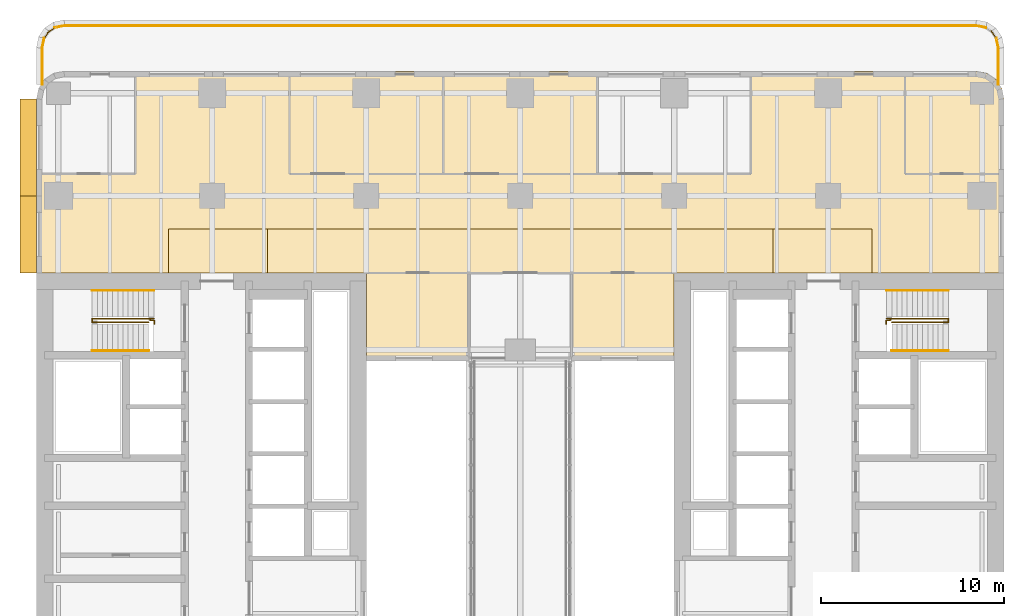
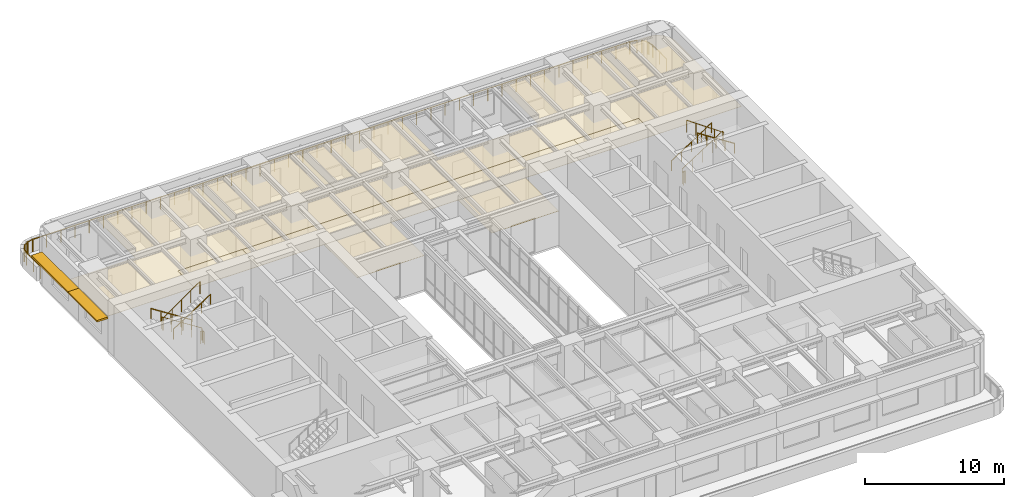
# One storey, part 16 of 17: 18 railings, 9 coverings, 2 shading devices.
"""IFC4 building model written with IfcOpenShell, lengths in metres."""

from ifc_helpers import new_model, si_unit, direction, frame, origin, origin_2d, place, context, subcontext, project, spatial, polyline, rectangle, circle, outline, extrude, material, layer, layer_set, type_object, element, save


model = new_model("IFC4")

# Units and contexts
model_context = context("Model", 3, precision=1e-05, world=origin(), true_north=direction((0.0, 1.0)))
body_context = subcontext(model_context, "Body", "Model", "MODEL_VIEW")
ifc_project = project(units=[si_unit("LENGTHUNIT", "METRE"), si_unit("AREAUNIT", "SQUARE_METRE"), si_unit("VOLUMEUNIT", "CUBIC_METRE"), si_unit("PLANEANGLEUNIT", "RADIAN"), si_unit("MASSUNIT", "GRAM", prefix="KILO")], contexts=[model_context])

# Site, building, storey
site_placement = place(None, origin())
site = spatial("IfcSite", under=ifc_project, at=site_placement, CompositionType="ELEMENT")
building_placement = place(site_placement, origin())
building = spatial("IfcBuilding", under=site, at=building_placement, Name="Claustro Exchange Tower", CompositionType="ELEMENT")
storey_placement = place(building_placement, frame((0.0, 0.0, 96.300048828125)))
storey = spatial("IfcBuildingStorey", under=building, at=storey_placement, Name="L21", CompositionType="ELEMENT", Elevation=96.300048828125)

# Coverings
ifc_material_1 = material(Name="Perforated metal ceiling tiles", Category="steel")
ifc_layer_1 = layer(ifc_material_1, 0.030029296875)
ifc_layer_set_1 = layer_set([ifc_layer_1], Name="Perforated metal ceiling tiles")
covering_type_1 = type_object("IfcCoveringType", Name="CL1 suspended metal ceiling", PredefinedType="CEILING", material=ifc_layer_set_1)
covering_1_placement = place(storey_placement, frame((0.0, 0.0, 3.0)))
element("IfcCovering", 1, at=covering_1_placement, inside=storey, type_object=covering_type_1, Name="Ceiling CL1 L21-20", PredefinedType="CEILING", context=body_context, shape_type="SweptSolid", body=[
    extrude(outline(polyline([(6.0, 37.800048828125), (11.39990234375, 37.800048828125), (11.39990234375, 40.199951171875), (6.0, 40.199951171875), (6.0, 37.800048828125)])), origin(), (0.0, 0.0, 1.0), 0.030029296875),
])
covering_2_placement = place(storey_placement, frame((0.0, 0.0, 3.0)))
element("IfcCovering", 2, at=covering_2_placement, inside=storey, type_object=covering_type_1, Name="Ceiling CL1 L21-21", PredefinedType="CEILING", context=body_context, shape_type="SweptSolid", body=[
    extrude(outline(polyline([(11.39990234375, 37.800048828125), (16.800048828125, 37.800048828125), (33.60009765625, 37.800048828125), (39.0, 37.800048828125), (39.0, 40.199951171875), (11.39990234375, 40.199951171875), (11.39990234375, 37.800048828125)])), origin(), (0.0, 0.0, 1.0), 0.030029296875),
])
covering_3_placement = place(storey_placement, frame((0.0, 0.0, 3.0)))
element("IfcCovering", 3, at=covering_3_placement, inside=storey, type_object=covering_type_1, Name="Ceiling CL1 L21-22", PredefinedType="CEILING", context=body_context, shape_type="SweptSolid", body=[
    extrude(outline(polyline([(39.0, 37.800048828125), (44.39990234375, 37.800048828125), (44.39990234375, 40.199951171875), (39.0, 40.199951171875), (39.0, 37.800048828125)])), origin(), (0.0, 0.0, 1.0), 0.030029296875),
])
ifc_material_2 = material(Name="Gypsum board ceiling", Category="gypsum board")
ifc_layer_2 = layer(ifc_material_2, 0.02490234375)
ifc_layer_set_2 = layer_set([ifc_layer_2], Name="Gypsum board ceiling")
covering_type_2 = type_object("IfcCoveringType", Name="CL2 plasterboard ceiling", PredefinedType="CEILING", material=ifc_layer_set_2)
covering_4_placement = place(storey_placement, frame((0.0, 0.0, 3.0)))
element("IfcCovering", 4, at=covering_4_placement, inside=storey, type_object=covering_type_2, Name="Ceiling CL2 L21-17", PredefinedType="CEILING", context=body_context, shape_type="SweptSolid", body=[
    extrude(outline(polyline([(16.800048828125, 33.0), (22.39990234375, 33.0), (22.39990234375, 37.800048828125), (16.800048828125, 37.800048828125), (16.800048828125, 33.0)])), origin(), (0.0, 0.0, 1.0), 0.02490234375),
])
covering_5_placement = place(storey_placement, frame((0.0, 0.0, 3.0)))
element("IfcCovering", 5, at=covering_5_placement, inside=storey, type_object=covering_type_2, Name="Ceiling CL2 L21-19", PredefinedType="CEILING", context=body_context, shape_type="SweptSolid", body=[
    extrude(outline(polyline([(33.60009765625, 33.0), (33.60009765625, 37.800048828125), (28.0, 37.800048828125), (28.0, 33.0), (33.60009765625, 33.0)])), origin(), (0.0, 0.0, 1.0), 0.02490234375),
])
covering_6_placement = place(storey_placement, frame((0.0, 0.0, 3.0)))
element("IfcCovering", 6, at=covering_6_placement, inside=storey, type_object=covering_type_2, Name="Ceiling CL2 L21-23", PredefinedType="CEILING", context=body_context, shape_type="SweptSolid", body=[
    extrude(outline(polyline([(-1.199951171875, 43.199951171875), (-1.199951171875, 37.800048828125), (6.0, 37.800048828125), (6.0, 40.199951171875), (11.39990234375, 40.199951171875), (39.0, 40.199951171875), (44.39990234375, 40.199951171875), (44.39990234375, 37.800048828125), (51.60009765625, 37.800048828125), (51.60009765625, 43.199951171875), (46.199951171875, 43.199951171875), (46.199951171875, 48.800048828125), (37.800048828125, 48.800048828125), (37.800048828125, 43.199951171875), (29.39990234375, 43.199951171875), (21.0, 43.199951171875), (12.60009765625, 43.199951171875), (12.60009765625, 48.800048828125), (4.199951171875, 48.800048828125), (4.199951171875, 43.199951171875), (-1.199951171875, 43.199951171875)])), origin(), (0.0, 0.0, 1.0), 0.02490234375),
])
covering_7_placement = place(storey_placement, frame((0.0, 0.0, 3.0)))
element("IfcCovering", 7, at=covering_7_placement, inside=storey, type_object=covering_type_2, Name="Ceiling CL2 L21-25", PredefinedType="CEILING", context=body_context, shape_type="SweptSolid", body=[
    extrude(outline(polyline([(21.0, 48.800048828125), (12.60009765625, 48.800048828125), (12.60009765625, 43.199951171875), (21.0, 43.199951171875), (21.0, 48.800048828125)])), origin(), (0.0, 0.0, 1.0), 0.02490234375),
])
covering_8_placement = place(storey_placement, frame((0.0, 0.0, 3.0)))
element("IfcCovering", 8, at=covering_8_placement, inside=storey, type_object=covering_type_2, Name="Ceiling CL2 L21-26", PredefinedType="CEILING", context=body_context, shape_type="SweptSolid", body=[
    extrude(outline(polyline([(29.39990234375, 48.800048828125), (21.0, 48.800048828125), (21.0, 43.199951171875), (29.39990234375, 43.199951171875), (29.39990234375, 48.800048828125)])), origin(), (0.0, 0.0, 1.0), 0.02490234375),
])
covering_9_placement = place(storey_placement, frame((0.0, 0.0, 3.0)))
element("IfcCovering", 9, at=covering_9_placement, inside=storey, type_object=covering_type_2, Name="Ceiling CL2 L21-28", PredefinedType="CEILING", context=body_context, shape_type="SweptSolid", body=[
    extrude(outline(polyline([(50.10009765625, 48.800048828125), (46.199951171875, 48.800048828125), (46.199951171875, 43.199951171875), (51.60009765625, 43.199951171875), (51.60009765625, 47.300048828125), (51.48583984375, 47.8740234375), (51.16064453125, 48.360595703125), (50.674072265625, 48.685791015625), (50.10009765625, 48.800048828125)])), origin(), (0.0, 0.0, 1.0), 0.02490234375),
])

# Railings
ifc_material_3 = material(Name="Steel balustrade, painted", Category="steel")
railing_type_1 = type_object("IfcRailingType", Name="GR2 1100 steel stair guard", PredefinedType="GUARDRAIL", material=ifc_material_3)
railing_1_placement = place(storey_placement, frame((5.199951171875, 35.300048828125, 0.179931640625)))
element("IfcRailing", 10, at=railing_1_placement, inside=storey, type_object=railing_type_1, Name="Stair well guard GR2 stair STWB L21", PredefinedType="GUARDRAIL", context=body_context, shape_type="SweptSolid", body=[
    extrude(circle(Radius=0.02392578125, at=origin_2d()), frame((0.0, 0.0, 1.076171875), z_axis=(-0.841178475377, 0.0, 0.540757591313), x_axis=(0.0, -1.0, 0.0)), (0.0, 0.0, 1.0), 3.994140625),
    extrude(circle(Radius=0.02392578125, at=origin_2d()), frame((-3.35986328125, 0.0, 3.23583984375), z_axis=(0.0, -1.0, 0.0), x_axis=(1.0, 0.0, 0.0)), (0.0, 0.0, 1.0), 0.199951171875),
    extrude(circle(Radius=0.02392578125, at=origin_2d()), frame((-3.35986328125, -0.199951171875, 3.23583984375), z_axis=(0.818698002193, 0.0, 0.574224330036), x_axis=(0.0, 1.0, 0.0)), (0.0, 0.0, 1.0), 3.761962890625),
    extrude(circle(Radius=0.02099609375, at=origin_2d()), origin(), (0.0, 0.0, 1.0), 1.052001953125),
    extrude(circle(Radius=0.02099609375, at=origin_2d()), frame((-0.83984375, 0.0, 0.5400390625)), (0.0, 0.0, 1.0), 1.052001953125),
    extrude(circle(Radius=0.02099609375, at=origin_2d()), frame((-1.679931640625, 0.0, 1.080078125)), (0.0, 0.0, 1.0), 1.052001953125),
    extrude(circle(Radius=0.02099609375, at=origin_2d()), frame((-2.52001953125, 0.0, 1.619873046875)), (0.0, 0.0, 1.0), 1.052001953125),
    extrude(circle(Radius=0.02099609375, at=origin_2d()), frame((-3.35986328125, 0.0, 2.159912109375)), (0.0, 0.0, 1.0), 1.052001953125),
    extrude(circle(Radius=0.02099609375, at=origin_2d()), frame((-3.35986328125, -0.199951171875, 2.159912109375)), (0.0, 0.0, 1.0), 1.052001953125),
    extrude(circle(Radius=0.02099609375, at=origin_2d()), frame((-2.58984375, -0.199951171875, 2.699951171875)), (0.0, 0.0, 1.0), 1.052001953125),
    extrude(circle(Radius=0.02099609375, at=origin_2d()), frame((-1.81982421875, -0.199951171875, 3.239990234375)), (0.0, 0.0, 1.0), 1.052001953125),
    extrude(circle(Radius=0.02099609375, at=origin_2d()), frame((-1.050048828125, -0.199951171875, 3.780029296875)), (0.0, 0.0, 1.0), 1.052001953125),
    extrude(circle(Radius=0.02099609375, at=origin_2d()), frame((-0.280029296875, -0.199951171875, 4.320068359375)), (0.0, 0.0, 1.0), 1.052001953125),
])
railing_2_placement = place(storey_placement, frame((5.0, 35.22998046875, 0.0)))
element("IfcRailing", 11, at=railing_2_placement, inside=storey, type_object=railing_type_1, Name="Stair guard GR2 STWB L21", PredefinedType="GUARDRAIL", context=body_context, shape_type="SweptSolid", body=[
    extrude(circle(Radius=0.02392578125, at=origin_2d()), frame((0.0, 0.0, 1.076171875), z_axis=(0.0, -1.0, 0.0), x_axis=(1.0, 0.0, 0.0)), (0.0, 0.0, 1.0), 0.030029296875),
    extrude(circle(Radius=0.02392578125, at=origin_2d()), frame((0.0, -0.030029296875, 1.076171875), z_axis=(1.0, 0.0, 0.0), x_axis=(0.0, 1.0, 0.0)), (0.0, 0.0, 1.0), 0.22509765625),
    extrude(circle(Radius=0.02392578125, at=origin_2d()), frame((0.22509765625, -0.030029296875, 1.076171875), z_axis=(0.0, -1.0, 0.0), x_axis=(1.0, 0.0, 0.0)), (0.0, 0.0, 1.0), 0.179931640625),
    extrude(circle(Radius=0.02099609375, at=origin_2d()), origin(), (0.0, 0.0, 1.0), 1.052001953125),
    extrude(circle(Radius=0.02099609375, at=origin_2d()), frame((0.0, -0.030029296875, 0.0)), (0.0, 0.0, 1.0), 1.052001953125),
    extrude(circle(Radius=0.02099609375, at=origin_2d()), frame((0.22509765625, -0.030029296875, 0.0)), (0.0, 0.0, 1.0), 1.052001953125),
    extrude(circle(Radius=0.02099609375, at=origin_2d()), frame((0.22509765625, -0.2099609375, 0.0)), (0.0, 0.0, 1.0), 1.052001953125),
])
railing_3_placement = place(storey_placement, frame((45.199951171875, 35.300048828125, 0.179931640625)))
element("IfcRailing", 12, at=railing_3_placement, inside=storey, type_object=railing_type_1, Name="Stair well guard GR2 stair STEB L21", PredefinedType="GUARDRAIL", context=body_context, shape_type="SweptSolid", body=[
    extrude(circle(Radius=0.02392578125, at=origin_2d()), frame((0.0, 0.0, 1.076171875), z_axis=(0.84119634759, 0.0, 0.540729789082), x_axis=(0.0, 1.0, 0.0)), (0.0, 0.0, 1.0), 3.994384765625),
    extrude(circle(Radius=0.02392578125, at=origin_2d()), frame((3.360107421875, 0.0, 3.23583984375), z_axis=(0.0, -1.0, 0.0), x_axis=(1.0, 0.0, 0.0)), (0.0, 0.0, 1.0), 0.199951171875),
    extrude(circle(Radius=0.02392578125, at=origin_2d()), frame((3.360107421875, -0.199951171875, 3.23583984375), z_axis=(-0.818719399792, 0.0, 0.574193821287), x_axis=(0.0, -1.0, 0.0)), (0.0, 0.0, 1.0), 3.761962890625),
    extrude(circle(Radius=0.02099609375, at=origin_2d()), origin(), (0.0, 0.0, 1.0), 1.052001953125),
    extrude(circle(Radius=0.02099609375, at=origin_2d()), frame((0.840087890625, 0.0, 0.5400390625)), (0.0, 0.0, 1.0), 1.052001953125),
    extrude(circle(Radius=0.02099609375, at=origin_2d()), frame((1.68017578125, 0.0, 1.080078125)), (0.0, 0.0, 1.0), 1.052001953125),
    extrude(circle(Radius=0.02099609375, at=origin_2d()), frame((2.52001953125, 0.0, 1.619873046875)), (0.0, 0.0, 1.0), 1.052001953125),
    extrude(circle(Radius=0.02099609375, at=origin_2d()), frame((3.360107421875, 0.0, 2.159912109375)), (0.0, 0.0, 1.0), 1.052001953125),
    extrude(circle(Radius=0.02099609375, at=origin_2d()), frame((3.360107421875, -0.199951171875, 2.159912109375)), (0.0, 0.0, 1.0), 1.052001953125),
    extrude(circle(Radius=0.02099609375, at=origin_2d()), frame((2.590087890625, -0.199951171875, 2.699951171875)), (0.0, 0.0, 1.0), 1.052001953125),
    extrude(circle(Radius=0.02099609375, at=origin_2d()), frame((1.820068359375, -0.199951171875, 3.239990234375)), (0.0, 0.0, 1.0), 1.052001953125),
    extrude(circle(Radius=0.02099609375, at=origin_2d()), frame((1.050048828125, -0.199951171875, 3.780029296875)), (0.0, 0.0, 1.0), 1.052001953125),
    extrude(circle(Radius=0.02099609375, at=origin_2d()), frame((0.280029296875, -0.199951171875, 4.320068359375)), (0.0, 0.0, 1.0), 1.052001953125),
])
railing_4_placement = place(storey_placement, frame((45.39990234375, 35.22998046875, 0.0)))
element("IfcRailing", 13, at=railing_4_placement, inside=storey, type_object=railing_type_1, Name="Stair guard GR2 STEB L21", PredefinedType="GUARDRAIL", context=body_context, shape_type="SweptSolid", body=[
    extrude(circle(Radius=0.02392578125, at=origin_2d()), frame((0.0, 0.0, 1.076171875), z_axis=(0.0, -1.0, 0.0), x_axis=(1.0, 0.0, 0.0)), (0.0, 0.0, 1.0), 0.030029296875),
    extrude(circle(Radius=0.02392578125, at=origin_2d()), frame((0.0, -0.030029296875, 1.076171875), z_axis=(-1.0, 0.0, 0.0), x_axis=(0.0, -1.0, 0.0)), (0.0, 0.0, 1.0), 0.224853515625),
    extrude(circle(Radius=0.02392578125, at=origin_2d()), frame((-0.224853515625, -0.030029296875, 1.076171875), z_axis=(0.0, -1.0, 0.0), x_axis=(1.0, 0.0, 0.0)), (0.0, 0.0, 1.0), 0.179931640625),
    extrude(circle(Radius=0.02099609375, at=origin_2d()), origin(), (0.0, 0.0, 1.0), 1.052001953125),
    extrude(circle(Radius=0.02099609375, at=origin_2d()), frame((0.0, -0.030029296875, 0.0)), (0.0, 0.0, 1.0), 1.052001953125),
    extrude(circle(Radius=0.02099609375, at=origin_2d()), frame((-0.224853515625, -0.030029296875, 0.0)), (0.0, 0.0, 1.0), 1.052001953125),
    extrude(circle(Radius=0.02099609375, at=origin_2d()), frame((-0.224853515625, -0.2099609375, 0.0)), (0.0, 0.0, 1.0), 1.052001953125),
])
ifc_material_4 = material(Name="Stainless steel posts and rail, laminated glass infill", Category="steel")
railing_type_2 = type_object("IfcRailingType", Name="GR3 1100 terrace guard railing", PredefinedType="GUARDRAIL", material=ifc_material_4)
railing_5_placement = place(storey_placement, frame((-0.828125, 50.501708984375, 0.0)))
element("IfcRailing", 14, at=railing_5_placement, inside=storey, type_object=railing_type_2, Name="Terrace guard GR3 L21", PredefinedType="GUARDRAIL", context=body_context, shape_type="SweptSolid", body=[
    extrude(circle(Radius=0.02392578125, at=origin_2d()), frame((0.0, 0.0, 1.076171875), z_axis=(0.555469840741, 0.831536683512, 0.0), x_axis=(-0.831536683512, 0.555469840741, 0.0)), (0.0, 0.0, 1.0), 0.58544921875),
    extrude(circle(Radius=0.02099609375, at=origin_2d()), origin(), (0.0, 0.0, 1.0), 1.052001953125),
    extrude(circle(Radius=0.02099609375, at=origin_2d()), frame((0.3251953125, 0.48681640625, 0.0)), (0.0, 0.0, 1.0), 1.052001953125),
])
railing_6_placement = place(storey_placement, frame((-0.58837890625, 50.903076171875, 0.0)))
element("IfcRailing", 15, at=railing_6_placement, inside=storey, type_object=railing_type_2, Name="Terrace guard GR3 L21", PredefinedType="GUARDRAIL", context=body_context, shape_type="SweptSolid", body=[
    extrude(circle(Radius=0.02392578125, at=origin_2d()), frame((0.0, 0.0, 1.076171875), z_axis=(0.831600663598, 0.555374050802, 0.0), x_axis=(-0.555374050802, 0.831600663598, 0.0)), (0.0, 0.0, 1.0), 0.585205078125),
    extrude(circle(Radius=0.02099609375, at=origin_2d()), origin(), (0.0, 0.0, 1.0), 1.052001953125),
    extrude(circle(Radius=0.02099609375, at=origin_2d()), frame((0.486572265625, 0.324951171875, 0.0)), (0.0, 0.0, 1.0), 1.052001953125),
])
railing_7_placement = place(storey_placement, frame((-0.21337890625, 51.181884765625, 0.0)))
element("IfcRailing", 16, at=railing_7_placement, inside=storey, type_object=railing_type_2, Name="Terrace guard GR3 L21", PredefinedType="GUARDRAIL", context=body_context, shape_type="SweptSolid", body=[
    extrude(circle(Radius=0.02392578125, at=origin_2d()), frame((0.0, 0.0, 1.076171875), z_axis=(0.980836573739, 0.1948322756, 0.0), x_axis=(-0.1948322756, 0.980836573739, 0.0)), (0.0, 0.0, 1.0), 0.585205078125),
    extrude(circle(Radius=0.02099609375, at=origin_2d()), origin(), (0.0, 0.0, 1.0), 1.052001953125),
    extrude(circle(Radius=0.02099609375, at=origin_2d()), frame((0.573974609375, 0.114013671875, 0.0)), (0.0, 0.0, 1.0), 1.052001953125),
])
railing_8_placement = place(storey_placement, frame((0.300048828125, 51.2900390625, 0.0)))
element("IfcRailing", 17, at=railing_8_placement, inside=storey, type_object=railing_type_2, Name="Terrace guard GR3 L21", PredefinedType="GUARDRAIL", context=body_context, shape_type="SweptSolid", body=[
    extrude(circle(Radius=0.02392578125, at=origin_2d()), frame((0.0, 0.0, 1.076171875), z_axis=(1.0, 0.0, 0.0), x_axis=(0.0, 1.0, 0.0)), (0.0, 0.0, 1.0), 49.800048828125),
    extrude(circle(Radius=0.02099609375, at=origin_2d()), origin(), (0.0, 0.0, 1.0), 1.052001953125),
    extrude(circle(Radius=0.02099609375, at=origin_2d()), frame((1.185791015625, 0.0, 0.0)), (0.0, 0.0, 1.0), 1.052001953125),
    extrude(circle(Radius=0.02099609375, at=origin_2d()), frame((2.371337890625, 0.0, 0.0)), (0.0, 0.0, 1.0), 1.052001953125),
    extrude(circle(Radius=0.02099609375, at=origin_2d()), frame((3.55712890625, 0.0, 0.0)), (0.0, 0.0, 1.0), 1.052001953125),
    extrude(circle(Radius=0.02099609375, at=origin_2d()), frame((4.742919921875, 0.0, 0.0)), (0.0, 0.0, 1.0), 1.052001953125),
    extrude(circle(Radius=0.02099609375, at=origin_2d()), frame((5.928466796875, 0.0, 0.0)), (0.0, 0.0, 1.0), 1.052001953125),
    extrude(circle(Radius=0.02099609375, at=origin_2d()), frame((7.1142578125, 0.0, 0.0)), (0.0, 0.0, 1.0), 1.052001953125),
    extrude(circle(Radius=0.02099609375, at=origin_2d()), frame((8.300048828125, 0.0, 0.0)), (0.0, 0.0, 1.0), 1.052001953125),
    extrude(circle(Radius=0.02099609375, at=origin_2d()), frame((9.48583984375, 0.0, 0.0)), (0.0, 0.0, 1.0), 1.052001953125),
    extrude(circle(Radius=0.02099609375, at=origin_2d()), frame((10.67138671875, 0.0, 0.0)), (0.0, 0.0, 1.0), 1.052001953125),
    extrude(circle(Radius=0.02099609375, at=origin_2d()), frame((11.857177734375, 0.0, 0.0)), (0.0, 0.0, 1.0), 1.052001953125),
    extrude(circle(Radius=0.02099609375, at=origin_2d()), frame((13.04296875, 0.0, 0.0)), (0.0, 0.0, 1.0), 1.052001953125),
    extrude(circle(Radius=0.02099609375, at=origin_2d()), frame((14.228515625, 0.0, 0.0)), (0.0, 0.0, 1.0), 1.052001953125),
    extrude(circle(Radius=0.02099609375, at=origin_2d()), frame((15.414306640625, 0.0, 0.0)), (0.0, 0.0, 1.0), 1.052001953125),
    extrude(circle(Radius=0.02099609375, at=origin_2d()), frame((16.60009765625, 0.0, 0.0)), (0.0, 0.0, 1.0), 1.052001953125),
    extrude(circle(Radius=0.02099609375, at=origin_2d()), frame((17.78564453125, 0.0, 0.0)), (0.0, 0.0, 1.0), 1.052001953125),
    extrude(circle(Radius=0.02099609375, at=origin_2d()), frame((18.971435546875, 0.0, 0.0)), (0.0, 0.0, 1.0), 1.052001953125),
    extrude(circle(Radius=0.02099609375, at=origin_2d()), frame((20.1572265625, 0.0, 0.0)), (0.0, 0.0, 1.0), 1.052001953125),
    extrude(circle(Radius=0.02099609375, at=origin_2d()), frame((21.3427734375, 0.0, 0.0)), (0.0, 0.0, 1.0), 1.052001953125),
    extrude(circle(Radius=0.02099609375, at=origin_2d()), frame((22.528564453125, 0.0, 0.0)), (0.0, 0.0, 1.0), 1.052001953125),
    extrude(circle(Radius=0.02099609375, at=origin_2d()), frame((23.71435546875, 0.0, 0.0)), (0.0, 0.0, 1.0), 1.052001953125),
    extrude(circle(Radius=0.02099609375, at=origin_2d()), frame((24.89990234375, 0.0, 0.0)), (0.0, 0.0, 1.0), 1.052001953125),
    extrude(circle(Radius=0.02099609375, at=origin_2d()), frame((26.085693359375, 0.0, 0.0)), (0.0, 0.0, 1.0), 1.052001953125),
    extrude(circle(Radius=0.02099609375, at=origin_2d()), frame((27.271484375, 0.0, 0.0)), (0.0, 0.0, 1.0), 1.052001953125),
    extrude(circle(Radius=0.02099609375, at=origin_2d()), frame((28.457275390625, 0.0, 0.0)), (0.0, 0.0, 1.0), 1.052001953125),
    extrude(circle(Radius=0.02099609375, at=origin_2d()), frame((29.642822265625, 0.0, 0.0)), (0.0, 0.0, 1.0), 1.052001953125),
    extrude(circle(Radius=0.02099609375, at=origin_2d()), frame((30.82861328125, 0.0, 0.0)), (0.0, 0.0, 1.0), 1.052001953125),
    extrude(circle(Radius=0.02099609375, at=origin_2d()), frame((32.014404296875, 0.0, 0.0)), (0.0, 0.0, 1.0), 1.052001953125),
    extrude(circle(Radius=0.02099609375, at=origin_2d()), frame((33.199951171875, 0.0, 0.0)), (0.0, 0.0, 1.0), 1.052001953125),
    extrude(circle(Radius=0.02099609375, at=origin_2d()), frame((34.3857421875, 0.0, 0.0)), (0.0, 0.0, 1.0), 1.052001953125),
    extrude(circle(Radius=0.02099609375, at=origin_2d()), frame((35.571533203125, 0.0, 0.0)), (0.0, 0.0, 1.0), 1.052001953125),
    extrude(circle(Radius=0.02099609375, at=origin_2d()), frame((36.757080078125, 0.0, 0.0)), (0.0, 0.0, 1.0), 1.052001953125),
    extrude(circle(Radius=0.02099609375, at=origin_2d()), frame((37.94287109375, 0.0, 0.0)), (0.0, 0.0, 1.0), 1.052001953125),
    extrude(circle(Radius=0.02099609375, at=origin_2d()), frame((39.128662109375, 0.0, 0.0)), (0.0, 0.0, 1.0), 1.052001953125),
    extrude(circle(Radius=0.02099609375, at=origin_2d()), frame((40.314208984375, 0.0, 0.0)), (0.0, 0.0, 1.0), 1.052001953125),
    extrude(circle(Radius=0.02099609375, at=origin_2d()), frame((41.5, 0.0, 0.0)), (0.0, 0.0, 1.0), 1.052001953125),
    extrude(circle(Radius=0.02099609375, at=origin_2d()), frame((42.685791015625, 0.0, 0.0)), (0.0, 0.0, 1.0), 1.052001953125),
    extrude(circle(Radius=0.02099609375, at=origin_2d()), frame((43.87158203125, 0.0, 0.0)), (0.0, 0.0, 1.0), 1.052001953125),
    extrude(circle(Radius=0.02099609375, at=origin_2d()), frame((45.05712890625, 0.0, 0.0)), (0.0, 0.0, 1.0), 1.052001953125),
    extrude(circle(Radius=0.02099609375, at=origin_2d()), frame((46.242919921875, 0.0, 0.0)), (0.0, 0.0, 1.0), 1.052001953125),
    extrude(circle(Radius=0.02099609375, at=origin_2d()), frame((47.4287109375, 0.0, 0.0)), (0.0, 0.0, 1.0), 1.052001953125),
    extrude(circle(Radius=0.02099609375, at=origin_2d()), frame((48.6142578125, 0.0, 0.0)), (0.0, 0.0, 1.0), 1.052001953125),
    extrude(circle(Radius=0.02099609375, at=origin_2d()), frame((49.800048828125, 0.0, 0.0)), (0.0, 0.0, 1.0), 1.052001953125),
])
railing_9_placement = place(storey_placement, frame((50.03955078125, 51.2958984375, 0.0)))
element("IfcRailing", 18, at=railing_9_placement, inside=storey, type_object=railing_type_2, Name="Terrace guard GR3 L21", PredefinedType="GUARDRAIL", context=body_context, shape_type="SweptSolid", body=[
    extrude(circle(Radius=0.02392578125, at=origin_2d()), frame((0.0, 0.0, 1.076171875), z_axis=(0.980836573739, -0.1948322756, 0.0), x_axis=(0.1948322756, 0.980836573739, 0.0)), (0.0, 0.0, 1.0), 0.585205078125),
    extrude(circle(Radius=0.02099609375, at=origin_2d()), origin(), (0.0, 0.0, 1.0), 1.052001953125),
    extrude(circle(Radius=0.02099609375, at=origin_2d()), frame((0.573974609375, -0.114013671875, 0.0)), (0.0, 0.0, 1.0), 1.052001953125),
])
railing_10_placement = place(storey_placement, frame((50.903076171875, 50.988525390625, 0.0)))
element("IfcRailing", 19, at=railing_10_placement, inside=storey, type_object=railing_type_2, Name="Terrace guard GR3 L21", PredefinedType="GUARDRAIL", context=body_context, shape_type="SweptSolid", body=[
    extrude(circle(Radius=0.02392578125, at=origin_2d()), frame((0.0, 0.0, 1.076171875), z_axis=(0.555181391115, -0.831729296682, 0.0), x_axis=(0.831729296682, 0.555181391115, 0.0)), (0.0, 0.0, 1.0), 0.585205078125),
    extrude(circle(Radius=0.02099609375, at=origin_2d()), origin(), (0.0, 0.0, 1.0), 1.052001953125),
    extrude(circle(Radius=0.02099609375, at=origin_2d()), frame((0.324951171875, -0.48681640625, 0.0)), (0.0, 0.0, 1.0), 1.052001953125),
])
railing_11_placement = place(storey_placement, frame((51.181884765625, 50.613525390625, 0.0)))
element("IfcRailing", 20, at=railing_11_placement, inside=storey, type_object=railing_type_2, Name="Terrace guard GR3 L21", PredefinedType="GUARDRAIL", context=body_context, shape_type="SweptSolid", body=[
    extrude(circle(Radius=0.02392578125, at=origin_2d()), frame((0.0, 0.0, 1.076171875), z_axis=(0.1948322756, -0.980836573739, 0.0), x_axis=(0.980836573739, 0.1948322756, 0.0)), (0.0, 0.0, 1.0), 0.585205078125),
    extrude(circle(Radius=0.02099609375, at=origin_2d()), origin(), (0.0, 0.0, 1.0), 1.052001953125),
    extrude(circle(Radius=0.02099609375, at=origin_2d()), frame((0.114013671875, -0.573974609375, 0.0)), (0.0, 0.0, 1.0), 1.052001953125),
])
railing_12_placement = place(storey_placement, frame((51.2900390625, 50.10009765625, 0.0)))
element("IfcRailing", 21, at=railing_12_placement, inside=storey, type_object=railing_type_2, Name="Terrace guard GR3 L21", PredefinedType="GUARDRAIL", context=body_context, shape_type="SweptSolid", body=[
    extrude(circle(Radius=0.02392578125, at=origin_2d()), frame((0.0, 0.0, 1.076171875), z_axis=(0.0, -1.0, 0.0), x_axis=(1.0, 0.0, 0.0)), (0.0, 0.0, 1.0), 2.023193359375),
    extrude(circle(Radius=0.02099609375, at=origin_2d()), origin(), (0.0, 0.0, 1.0), 1.052001953125),
    extrude(circle(Radius=0.02099609375, at=origin_2d()), frame((0.0, -1.01171875, 0.0)), (0.0, 0.0, 1.0), 1.052001953125),
    extrude(circle(Radius=0.02099609375, at=origin_2d()), frame((0.0, -2.023193359375, 0.0)), (0.0, 0.0, 1.0), 1.052001953125),
])
railing_13_placement = place(storey_placement, frame((-0.889892578125, 48.076904296875, 0.0)))
element("IfcRailing", 22, at=railing_13_placement, inside=storey, type_object=railing_type_2, Name="Terrace guard GR3 L21", PredefinedType="GUARDRAIL", context=body_context, shape_type="SweptSolid", body=[
    extrude(circle(Radius=0.02392578125, at=origin_2d()), frame((0.0, 0.0, 1.076171875), z_axis=(0.0, 1.0, 0.0), x_axis=(-1.0, 0.0, 0.0)), (0.0, 0.0, 1.0), 2.023193359375),
    extrude(circle(Radius=0.02099609375, at=origin_2d()), origin(), (0.0, 0.0, 1.0), 1.052001953125),
    extrude(circle(Radius=0.02099609375, at=origin_2d()), frame((0.0, 1.01171875, 0.0)), (0.0, 0.0, 1.0), 1.052001953125),
    extrude(circle(Radius=0.02099609375, at=origin_2d()), frame((0.0, 2.023193359375, 0.0)), (0.0, 0.0, 1.0), 1.052001953125),
])
railing_14_placement = place(storey_placement, frame((-0.89599609375, 50.03955078125, 0.0)))
element("IfcRailing", 23, at=railing_14_placement, inside=storey, type_object=railing_type_2, Name="Terrace guard GR3 L21", PredefinedType="GUARDRAIL", context=body_context, shape_type="SweptSolid", body=[
    extrude(circle(Radius=0.02392578125, at=origin_2d()), frame((0.0, 0.0, 1.076171875), z_axis=(0.195233589627, 0.980756771825, 0.0), x_axis=(-0.980756771825, 0.195233589627, 0.0)), (0.0, 0.0, 1.0), 0.585205078125),
    extrude(circle(Radius=0.02099609375, at=origin_2d()), origin(), (0.0, 0.0, 1.0), 1.052001953125),
    extrude(circle(Radius=0.02099609375, at=origin_2d()), frame((0.1142578125, 0.573974609375, 0.0)), (0.0, 0.0, 1.0), 1.052001953125),
])
ifc_material_5 = material(Name="Stainless steel tube", Category="steel")
railing_type_3 = type_object("IfcRailingType", Name="HR1 900 stair handrail", PredefinedType="HANDRAIL", material=ifc_material_5)
railing_15_placement = place(storey_placement, frame((5.199951171875, 36.840087890625, 0.179931640625)))
element("IfcRailing", 24, at=railing_15_placement, inside=storey, type_object=railing_type_3, Name="Handrail HR1 stair STWB L21", PredefinedType="HANDRAIL", context=body_context, shape_type="SweptSolid", body=[
    extrude(circle(Radius=0.02392578125, at=origin_2d()), frame((0.0, 0.0, 0.8759765625), z_axis=(-0.841178475377, 0.0, 0.540757591313), x_axis=(0.0, -1.0, 0.0)), (0.0, 0.0, 1.0), 3.994140625),
    extrude(circle(Radius=0.02099609375, at=origin_2d()), origin(), (0.0, 0.0, 1.0), 0.851806640625),
    extrude(circle(Radius=0.02099609375, at=origin_2d()), frame((-0.83984375, 0.0, 0.5400390625)), (0.0, 0.0, 1.0), 0.851806640625),
    extrude(circle(Radius=0.02099609375, at=origin_2d()), frame((-1.679931640625, 0.0, 1.080078125)), (0.0, 0.0, 1.0), 0.851806640625),
    extrude(circle(Radius=0.02099609375, at=origin_2d()), frame((-2.52001953125, 0.0, 1.619873046875)), (0.0, 0.0, 1.0), 0.851806640625),
    extrude(circle(Radius=0.02099609375, at=origin_2d()), frame((-3.35986328125, 0.0, 2.159912109375)), (0.0, 0.0, 1.0), 0.851806640625),
])
railing_16_placement = place(storey_placement, frame((1.840087890625, 33.56005859375, 2.52001953125)))
element("IfcRailing", 25, at=railing_16_placement, inside=storey, type_object=railing_type_3, Name="Handrail HR1 stair STWB L21", PredefinedType="HANDRAIL", context=body_context, shape_type="SweptSolid", body=[
    extrude(circle(Radius=0.02392578125, at=origin_2d()), frame((0.0, 0.0, 0.8759765625), z_axis=(0.841167642724, 0.0, 0.540774441735), x_axis=(0.0, 1.0, 0.0)), (0.0, 0.0, 1.0), 3.661376953125),
    extrude(circle(Radius=0.02099609375, at=origin_2d()), origin(), (0.0, 0.0, 1.0), 0.851806640625),
    extrude(circle(Radius=0.02099609375, at=origin_2d()), frame((0.77001953125, 0.0, 0.4951171875)), (0.0, 0.0, 1.0), 0.851806640625),
    extrude(circle(Radius=0.02099609375, at=origin_2d()), frame((1.5400390625, 0.0, 0.989990234375)), (0.0, 0.0, 1.0), 0.851806640625),
    extrude(circle(Radius=0.02099609375, at=origin_2d()), frame((2.309814453125, 0.0, 1.48486328125)), (0.0, 0.0, 1.0), 0.851806640625),
    extrude(circle(Radius=0.02099609375, at=origin_2d()), frame((3.079833984375, 0.0, 1.97998046875)), (0.0, 0.0, 1.0), 0.851806640625),
])
railing_17_placement = place(storey_placement, frame((45.199951171875, 36.840087890625, 0.179931640625)))
element("IfcRailing", 26, at=railing_17_placement, inside=storey, type_object=railing_type_3, Name="Handrail HR1 stair STEB L21", PredefinedType="HANDRAIL", context=body_context, shape_type="SweptSolid", body=[
    extrude(circle(Radius=0.02392578125, at=origin_2d()), frame((0.0, 0.0, 0.8759765625), z_axis=(0.84119634759, 0.0, 0.540729789082), x_axis=(0.0, 1.0, 0.0)), (0.0, 0.0, 1.0), 3.994384765625),
    extrude(circle(Radius=0.02099609375, at=origin_2d()), origin(), (0.0, 0.0, 1.0), 0.851806640625),
    extrude(circle(Radius=0.02099609375, at=origin_2d()), frame((0.840087890625, 0.0, 0.5400390625)), (0.0, 0.0, 1.0), 0.851806640625),
    extrude(circle(Radius=0.02099609375, at=origin_2d()), frame((1.68017578125, 0.0, 1.080078125)), (0.0, 0.0, 1.0), 0.851806640625),
    extrude(circle(Radius=0.02099609375, at=origin_2d()), frame((2.52001953125, 0.0, 1.619873046875)), (0.0, 0.0, 1.0), 0.851806640625),
    extrude(circle(Radius=0.02099609375, at=origin_2d()), frame((3.360107421875, 0.0, 2.159912109375)), (0.0, 0.0, 1.0), 0.851806640625),
])
railing_18_placement = place(storey_placement, frame((48.56005859375, 33.56005859375, 2.52001953125)))
element("IfcRailing", 27, at=railing_18_placement, inside=storey, type_object=railing_type_3, Name="Handrail HR1 stair STEB L21", PredefinedType="HANDRAIL", context=body_context, shape_type="SweptSolid", body=[
    extrude(circle(Radius=0.02392578125, at=origin_2d()), frame((0.0, 0.0, 0.8759765625), z_axis=(-0.84118714077, 0.0, 0.540744111576), x_axis=(0.0, -1.0, 0.0)), (0.0, 0.0, 1.0), 3.66162109375),
    extrude(circle(Radius=0.02099609375, at=origin_2d()), origin(), (0.0, 0.0, 1.0), 0.851806640625),
    extrude(circle(Radius=0.02099609375, at=origin_2d()), frame((-0.77001953125, 0.0, 0.4951171875)), (0.0, 0.0, 1.0), 0.851806640625),
    extrude(circle(Radius=0.02099609375, at=origin_2d()), frame((-1.5400390625, 0.0, 0.989990234375)), (0.0, 0.0, 1.0), 0.851806640625),
    extrude(circle(Radius=0.02099609375, at=origin_2d()), frame((-2.31005859375, 0.0, 1.48486328125)), (0.0, 0.0, 1.0), 0.851806640625),
    extrude(circle(Radius=0.02099609375, at=origin_2d()), frame((-3.080078125, 0.0, 1.97998046875)), (0.0, 0.0, 1.0), 0.851806640625),
])

# Shading devices
ifc_material_6 = material(Name="Concrete HA-40 (C40/50), precast, white cement, acid-etched", Category="concrete")
ifc_layer_3 = layer(ifc_material_6, 0.14990234375)
ifc_layer_set_3 = layer_set([ifc_layer_3], Name="Concrete HA-40 (C40/50), precast, white cement, acid-etched")
shading_device_type = type_object("IfcShadingDeviceType", Name="SS2 900 precast concrete SUNSHADE", PredefinedType="SHUTTER", material=ifc_layer_set_3)
shading_device_1_placement = place(storey_placement, frame((-1.64990234375, 39.89990234375, 2.800048828125), z_axis=(0.0, 0.0, 1.0), x_axis=(0.0, 1.0, 0.0)))
element("IfcShadingDevice", 28, at=shading_device_1_placement, inside=storey, type_object=shading_device_type, Name="Precast SUNSHADE SS2 L21", PredefinedType="SHUTTER", context=body_context, shape_type="SweptSolid", body=[
    extrude(rectangle(XDim=4.199951171875, YDim=0.89990234375, at=origin_2d()), origin(), (0.0, 0.0, 1.0), 0.14990234375),
])
shading_device_2_placement = place(storey_placement, frame((-1.64990234375, 44.642578125, 2.800048828125), z_axis=(0.0, 0.0, 1.0), x_axis=(0.0, 1.0, 0.0)))
element("IfcShadingDevice", 29, at=shading_device_2_placement, inside=storey, type_object=shading_device_type, Name="Precast SUNSHADE SS2 L21", PredefinedType="SHUTTER", context=body_context, shape_type="SweptSolid", body=[
    extrude(rectangle(XDim=5.28515625, YDim=0.89990234375, at=origin_2d()), origin(), (0.0, 0.0, 1.0), 0.14990234375),
])

save(model, "model.ifc")
